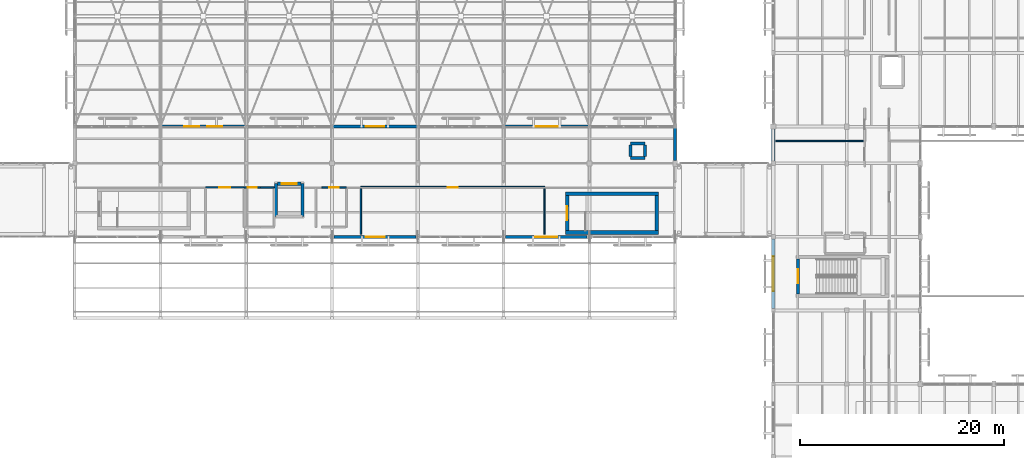
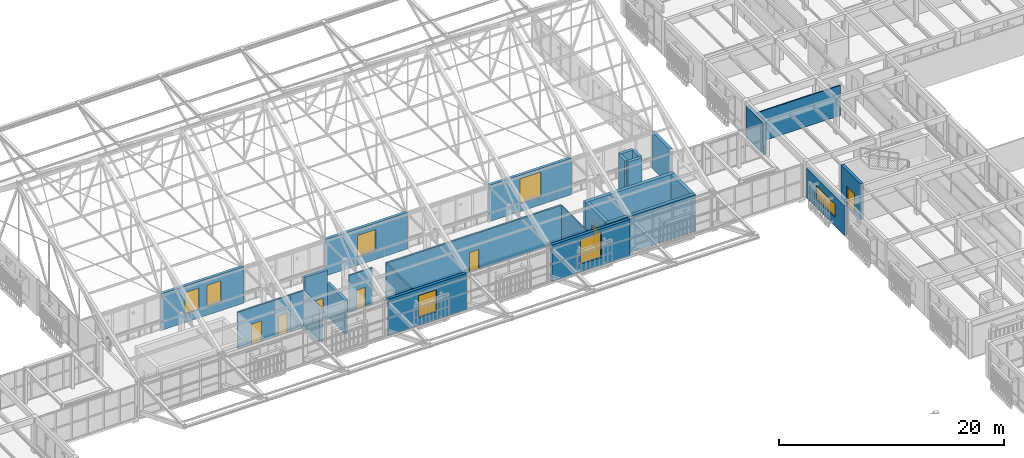
# One storey, part 182 of 217: 28 walls, 7 doors, 7 windows, 14 openings.
"""IFC4 building model written with IfcOpenShell, lengths in metres."""

from ifc_helpers import new_model, si_unit, direction, frame, frame_2d, origin, place, context, subcontext, project, spatial, rectangle, extrude, material, layer, layer_set, type_object, element, fill, save


model = new_model("IFC4")

# Units and contexts
model_context = context("Model", 3, precision=1e-05, world=origin(), true_north=direction((0.0, 1.0)))
body_context = subcontext(model_context, "Body", "Model", "MODEL_VIEW")
ifc_project = project(units=[si_unit("LENGTHUNIT", "METRE"), si_unit("AREAUNIT", "SQUARE_METRE"), si_unit("VOLUMEUNIT", "CUBIC_METRE"), si_unit("PLANEANGLEUNIT", "RADIAN"), si_unit("MASSUNIT", "GRAM", prefix="KILO")], contexts=[model_context])

# Site, building, storey
site_placement = place(None, origin())
site = spatial("IfcSite", under=ifc_project, at=site_placement, CompositionType="ELEMENT")
building_placement = place(site_placement, origin())
building = spatial("IfcBuilding", under=site, at=building_placement, Name="Mazaris Harbour Polytechnic", CompositionType="ELEMENT")
storey_placement = place(building_placement, frame((0.0, 0.0, 9.60009765625)))
storey = spatial("IfcBuildingStorey", under=building, at=storey_placement, Name="L02", CompositionType="ELEMENT", Elevation=9.60009765625)

# Walls
ifc_material_1 = material(Name="Gypsum Board and Mineral Wool")
ifc_layer_1 = layer(ifc_material_1, 0.1201171875, Name="Gypsum Board and Mineral Wool")
ifc_layer_set_1 = layer_set([ifc_layer_1], Name="Gypsum Board and Mineral Wool")
wall_type_1 = type_object("IfcWallType", Name="Acoustic Stud Partition 120", PredefinedType="PARTITIONING", material=ifc_layer_set_1)
wall_1_placement = place(storey_placement, frame((100.010986328125, 75.85009765625, 0.0), z_axis=(0.0, 0.0, 1.0), x_axis=(0.0, 1.0, 0.0)))
element("IfcWall", 1, at=wall_1_placement, inside=storey, type_object=wall_type_1, Name="V1 L02 Partition 70", PredefinedType="PARTITIONING", context=body_context, shape_type="SweptSolid", body=[
    extrude(rectangle(XDim=4.47998046875, YDim=0.1201171875, at=frame_2d((2.239990234375, 0.0))), origin(), (0.0, 0.0, 1.0), 3.9599609375),
])
wall_2_placement = place(storey_placement, frame((122.64990234375, 84.97509765625, 0.0), z_axis=(0.0, 0.0, 1.0), x_axis=(1.0, 0.0, 0.0)))
element("IfcWall", 2, at=wall_2_placement, inside=storey, type_object=wall_type_1, Name="V5 L02 Partition 606", PredefinedType="PARTITIONING", context=body_context, shape_type="SweptSolid", body=[
    extrude(rectangle(XDim=8.580078125, YDim=0.1201171875, at=frame_2d((4.2900390625, 0.0))), origin(), (0.0, 0.0, 1.0), 3.27978515625),
])
ifc_material_2 = material(Name="Double Gypsum and Mineral Wool")
ifc_layer_2 = layer(ifc_material_2, 0.14990234375, Name="Double Gypsum and Mineral Wool")
ifc_layer_set_2 = layer_set([ifc_layer_2], Name="Double Gypsum and Mineral Wool")
wall_type_2 = type_object("IfcWallType", Name="Classroom Acoustic Partition 150", PredefinedType="PARTITIONING", material=ifc_layer_set_2)
wall_3_placement = place(storey_placement, frame((82.02587890625, 75.85009765625, 0.0), z_axis=(0.0, 0.0, 1.0), x_axis=(0.0, 1.0, 0.0)))
element("IfcWall", 3, at=wall_3_placement, inside=storey, type_object=wall_type_2, Name="V1 L02 Partition 69", PredefinedType="PARTITIONING", context=body_context, shape_type="SweptSolid", body=[
    extrude(rectangle(XDim=4.47998046875, YDim=0.14990234375, at=frame_2d((2.239990234375, 0.0))), origin(), (0.0, 0.0, 1.0), 3.9599609375),
])

# Wall, opening, door
ifc_material_3 = material(Name="Terracotta Block and Plaster", Category="masonry")
ifc_layer_3 = layer(ifc_material_3, 0.179931640625, Name="Terracotta Block and Plaster")
ifc_layer_set_3 = layer_set([ifc_layer_3], Name="Terracotta Block and Plaster")
wall_type_3 = type_object("IfcWallType", Name="Corridor Fire Partition 180", PredefinedType="PARTITIONING", material=ifc_layer_set_3)
wall_4_placement = place(storey_placement, frame((82.02587890625, 80.449951171875, 0.0), z_axis=(0.0, 0.0, 1.0), x_axis=(1.0, 0.0, 0.0)))
wall_4 = element("IfcWall", 4, at=wall_4_placement, inside=storey, type_object=wall_type_3, Name="V1 L02 Partition 68", PredefinedType="PARTITIONING", context=body_context, shape_type="SweptSolid", body=[
    extrude(rectangle(XDim=17.985107421875, YDim=0.179931640625, at=frame_2d((8.99267578125, 0.0))), origin(), (0.0, 0.0, 1.0), 3.9599609375),
])
opening_1_placement = place(wall_4_placement, frame((8.512451171875, 0.0, 0.0)))
opening_1 = element("IfcOpeningElement", 5, at=opening_1_placement, cuts=wall_4, Name="Opening ID-01R", PredefinedType="OPENING", context=body_context, shape_type="SweptSolid", body=[
    extrude(rectangle(XDim=0.9599609375, YDim=2.14990234375, at=frame_2d((0.47998046875, 1.074951171875))), frame((0.0, 0.099853515625, 0.0), z_axis=(0.0, -1.0, 0.0), x_axis=(1.0, 0.0, 0.0)), (0.0, 0.0, 1.0), 0.199951171875),
])
ifc_material_4 = material(Name="Solid Oak Timber", Category="wood")
door_type_1 = type_object("IfcDoorType", Name="Classroom Single Door RH 960x2150", OperationType="SINGLE_SWING_RIGHT", PredefinedType="DOOR", material=ifc_material_4)
door_1_placement = place(opening_1_placement, origin())
door_1 = element("IfcDoor", 6, at=door_1_placement, inside=storey, type_object=door_type_1, Name="ID-0031", OperationType="SINGLE_SWING_RIGHT", OverallHeight=2.14990234375, OverallWidth=0.9599609375, PredefinedType="DOOR", context=body_context, shape_type="SweptSolid", body=[
    extrude(rectangle(XDim=0.9599609375, YDim=2.14990234375, at=frame_2d((0.47998046875, 1.074951171875))), frame((0.0, 0.02490234375, 0.0), z_axis=(0.0, -1.0, 0.0), x_axis=(1.0, 0.0, 0.0)), (0.0, 0.0, 1.0), 0.050048828125),
])
fill(opening_1, door_1)

ifc_material_5 = material(Name="Fireboard and Mineral Wool")
ifc_layer_4 = layer(ifc_material_5, 0.1650390625, Name="Fireboard and Mineral Wool")
ifc_layer_set_4 = layer_set([ifc_layer_4], Name="Fireboard and Mineral Wool")
wall_type_4 = type_object("IfcWallType", Name="Laboratory Rated Partition 165", PredefinedType="PARTITIONING", material=ifc_layer_set_4)
wall_5_placement = place(storey_placement, frame((66.7890625, 80.449951171875, 0.0), z_axis=(0.0, 0.0, 1.0), x_axis=(1.0, 0.0, 0.0)))
wall_5 = element("IfcWall", 7, at=wall_5_placement, inside=storey, type_object=wall_type_4, Name="V1 L02 Partition 65", PredefinedType="PARTITIONING", context=body_context, shape_type="SweptSolid", body=[
    extrude(rectangle(XDim=3.805908203125, YDim=0.1650390625, at=frame_2d((1.90283203125, 0.0))), origin(), (0.0, 0.0, 1.0), 3.9599609375),
])
opening_2_placement = place(wall_5_placement, frame((1.3779296875, 0.0, 0.0)))
opening_2 = element("IfcOpeningElement", 8, at=opening_2_placement, cuts=wall_5, Name="Opening ID-02L", PredefinedType="OPENING", context=body_context, shape_type="SweptSolid", body=[
    extrude(rectangle(XDim=1.050048828125, YDim=2.199951171875, at=frame_2d((0.52490234375, 1.10009765625))), frame((0.0, 0.092529296875, 0.0), z_axis=(0.0, -1.0, 0.0), x_axis=(1.0, 0.0, 0.0)), (0.0, 0.0, 1.0), 0.18505859375),
])
ifc_material_6 = material(Name="Solid Timber and Vision Panel", Category="wood")
door_type_2 = type_object("IfcDoorType", Name="Laboratory Fire Door LH 1050x2200", OperationType="SINGLE_SWING_LEFT", PredefinedType="DOOR", material=ifc_material_6)
door_2_placement = place(opening_2_placement, origin())
door_2 = element("IfcDoor", 9, at=door_2_placement, inside=storey, type_object=door_type_2, Name="ID-0030", OperationType="SINGLE_SWING_LEFT", OverallHeight=2.199951171875, OverallWidth=1.050048828125, PredefinedType="DOOR", context=body_context, shape_type="SweptSolid", body=[
    extrude(rectangle(XDim=1.050048828125, YDim=2.199951171875, at=frame_2d((0.52490234375, 1.10009765625))), frame((0.0, 0.02490234375, 0.0), z_axis=(0.0, -1.0, 0.0), x_axis=(1.0, 0.0, 0.0)), (0.0, 0.0, 1.0), 0.050048828125),
])
fill(opening_2, door_2)

# Wall, opening, window
ifc_material_7 = material(Name="Algerian Buff Limestone and Mineral Wool", Category="masonry")
ifc_layer_5 = layer(ifc_material_7, 0.31005859375, Name="Algerian Buff Limestone and Mineral Wool")
ifc_layer_set_5 = layer_set([ifc_layer_5], Name="Algerian Buff Limestone and Mineral Wool")
wall_type_5 = type_object("IfcWallType", Name="Limestone Studio Wall 310", PredefinedType="STANDARD", material=ifc_layer_set_5)
wall_6_placement = place(storey_placement, frame((122.39990234375, 68.58203125, 0.0), z_axis=(0.0, 0.0, 1.0), x_axis=(0.0, 1.0, 0.0)))
wall_6 = element("IfcWall", 10, at=wall_6_placement, inside=storey, type_object=wall_type_5, Name="V5 L02 Exterior Wall 343", PredefinedType="STANDARD", context=body_context, shape_type="SweptSolid", body=[
    extrude(rectangle(XDim=6.81591796875, YDim=0.31005859375, at=frame_2d((3.407958984375, 0.0))), origin(), (0.0, 0.0, 1.0), 3.239990234375),
])
opening_3_placement = place(wall_6_placement, frame((1.7080078125, 0.0, 0.89990234375)))
opening_3 = element("IfcOpeningElement", 11, at=opening_3_placement, cuts=wall_6, Name="Opening WN-16", PredefinedType="OPENING", context=body_context, shape_type="SweptSolid", body=[
    extrude(rectangle(XDim=3.39990234375, YDim=1.5, at=frame_2d((1.699951171875, 0.75))), frame((0.0, 0.1650390625, 0.0), z_axis=(0.0, -1.0, 0.0), x_axis=(1.0, 0.0, 0.0)), (0.0, 0.0, 1.0), 0.330078125),
])
ifc_material_8 = material(Name="Thermally Broken Bronze Aluminium and Low-E Glass", Category="aluminium")
window_type_1 = type_object("IfcWindowType", Name="Workshop Clerestory Ribbon 3400x1500", PartitioningType="DOUBLE_PANEL_VERTICAL", PredefinedType="WINDOW", material=ifc_material_8)
window_1_placement = place(opening_3_placement, origin())
window_1 = element("IfcWindow", 12, at=window_1_placement, inside=storey, type_object=window_type_1, Name="WN-0395", OverallHeight=1.5, OverallWidth=3.39990234375, PartitioningType="DOUBLE_PANEL_VERTICAL", PredefinedType="WINDOW", context=body_context, shape_type="SweptSolid", body=[
    extrude(rectangle(XDim=3.39990234375, YDim=1.5, at=frame_2d((1.699951171875, 0.75))), frame((0.0, 0.030029296875, 0.0), z_axis=(0.0, -1.0, 0.0), x_axis=(1.0, 0.0, 0.0)), (0.0, 0.0, 1.0), 0.06005859375),
])
fill(opening_3, window_1)

# Wall
wall_7_placement = place(storey_placement, frame((122.39990234375, 83.02197265625, 0.0), z_axis=(0.0, 0.0, 1.0), x_axis=(0.0, 1.0, 0.0)))
element("IfcWall", 13, at=wall_7_placement, inside=storey, type_object=wall_type_5, Name="V5 L02 Exterior Wall 344", PredefinedType="STANDARD", context=body_context, shape_type="SweptSolid", body=[
    extrude(rectangle(XDim=3.135986328125, YDim=0.31005859375, at=frame_2d((1.56787109375, 0.0))), origin(), (0.0, 0.0, 1.0), 3.39990234375),
])

# Wall, opening, door
ifc_material_9 = material(Name="Concrete C40/50", Category="concrete")
ifc_layer_6 = layer(ifc_material_9, 0.324951171875, Name="Concrete C40/50")
ifc_layer_set_6 = layer_set([ifc_layer_6], Name="Concrete C40/50")
wall_type_6 = type_object("IfcWallType", Name="RC Core Shear Wall 325", PredefinedType="SHEAR", material=ifc_layer_set_6)
wall_8_placement = place(storey_placement, frame((124.824951171875, 73.449951171875, 0.0), z_axis=(0.0, 0.0, 1.0), x_axis=(0.0, -1.0, 0.0)))
wall_8 = element("IfcWall", 14, at=wall_8_placement, inside=storey, type_object=wall_type_6, Name="Core ST09 L02 Entrance Shear Wall", PredefinedType="SHEAR", context=body_context, shape_type="SweptSolid", body=[
    extrude(rectangle(XDim=3.449951171875, YDim=0.324951171875, at=frame_2d((1.72509765625, 0.0))), origin(), (0.0, 0.0, 1.0), 3.919921875),
])
opening_4_placement = place(wall_8_placement, frame((1.034912109375, 0.0, 0.0)))
opening_4 = element("IfcOpeningElement", 15, at=opening_4_placement, cuts=wall_8, Name="Opening SD-01", PredefinedType="OPENING", context=body_context, shape_type="SweptSolid", body=[
    extrude(rectangle(XDim=1.3798828125, YDim=2.199951171875, at=frame_2d((0.68994140625, 1.10009765625))), frame((0.0, 0.17236328125, 0.0), z_axis=(0.0, -1.0, 0.0), x_axis=(1.0, 0.0, 0.0)), (0.0, 0.0, 1.0), 0.344970703125),
])
ifc_material_10 = material(Name="Glulam Timber and Fire Glass", Category="wood")
door_type_3 = type_object("IfcDoorType", Name="Protected Stair Lobby Fire Door 1380x2200", OperationType="DOUBLE_DOOR_SINGLE_SWING", PredefinedType="DOOR", material=ifc_material_10)
door_3_placement = place(opening_4_placement, origin())
door_3 = element("IfcDoor", 16, at=door_3_placement, inside=storey, type_object=door_type_3, Name="SD-045", OperationType="DOUBLE_DOOR_SINGLE_SWING", OverallHeight=2.199951171875, OverallWidth=1.3798828125, PredefinedType="DOOR", context=body_context, shape_type="SweptSolid", body=[
    extrude(rectangle(XDim=1.3798828125, YDim=2.199951171875, at=frame_2d((0.68994140625, 1.10009765625))), frame((0.0, 0.02490234375, 0.0), z_axis=(0.0, -1.0, 0.0), x_axis=(1.0, 0.0, 0.0)), (0.0, 0.0, 1.0), 0.050048828125),
])
fill(opening_4, door_3)

# Walls
ifc_material_11 = material(Name="Concrete C40/50", Category="concrete")
ifc_layer_7 = layer(ifc_material_11, 0.35009765625, Name="Concrete C40/50")
ifc_layer_set_7 = layer_set([ifc_layer_7], Name="Concrete C40/50")
wall_type_7 = type_object("IfcWallType", Name="RC Core Shear Wall 350", PredefinedType="SHEAR", material=ifc_layer_set_7)
for number, where, z_axis, x_axis, name in (
    (17, (102.050048828125, 76.02490234375, 0.0), (0.0, 0.0, 1.0), (1.0, 0.0, 0.0), "Core ST02 L02 Shear Wall S"),
    (18, (111.14990234375, 79.824951171875, 0.0), (0.0, 0.0, 1.0), (-1.0, 0.0, 0.0), "Core ST02 L02 Shear Wall N"),
):
    element("IfcWall", number, at=place(storey_placement, frame(where, z_axis=z_axis, x_axis=x_axis)), inside=storey, type_object=wall_type_7, Name=name, PredefinedType="SHEAR", context=body_context, shape_type="SweptSolid", body=[
        extrude(rectangle(XDim=9.099853515625, YDim=0.35009765625, at=frame_2d((4.5498046875, 0.0))), origin(), (0.0, 0.0, 1.0), 3.9599609375),
    ])
wall_9_placement = place(storey_placement, frame((110.97509765625, 76.199951171875, 0.0), z_axis=(0.0, 0.0, 1.0), x_axis=(0.0, 1.0, 0.0)))
element("IfcWall", 19, at=wall_9_placement, inside=storey, type_object=wall_type_7, Name="Core ST02 L02 Shear Wall E", PredefinedType="SHEAR", context=body_context, shape_type="SweptSolid", body=[
    extrude(rectangle(XDim=3.449951171875, YDim=0.35009765625, at=frame_2d((1.72509765625, 0.0))), origin(), (0.0, 0.0, 1.0), 3.9599609375),
])

# Wall, opening, door
wall_10_placement = place(storey_placement, frame((102.22509765625, 79.64990234375, 0.0), z_axis=(0.0, 0.0, 1.0), x_axis=(0.0, -1.0, 0.0)))
wall_10 = element("IfcWall", 20, at=wall_10_placement, inside=storey, type_object=wall_type_7, Name="Core ST02 L02 Entrance Shear Wall", PredefinedType="SHEAR", context=body_context, shape_type="SweptSolid", body=[
    extrude(rectangle(XDim=3.449951171875, YDim=0.35009765625, at=frame_2d((1.72509765625, 0.0))), origin(), (0.0, 0.0, 1.0), 3.9599609375),
])
opening_5_placement = place(wall_10_placement, frame((1.034912109375, 0.0, 0.0)))
opening_5 = element("IfcOpeningElement", 21, at=opening_5_placement, cuts=wall_10, Name="Opening SD-01", PredefinedType="OPENING", context=body_context, shape_type="SweptSolid", body=[
    extrude(rectangle(XDim=1.3798828125, YDim=2.199951171875, at=frame_2d((0.68994140625, 1.10009765625))), frame((0.0, 0.18505859375, 0.0), z_axis=(0.0, -1.0, 0.0), x_axis=(1.0, 0.0, 0.0)), (0.0, 0.0, 1.0), 0.3701171875),
])
door_4_placement = place(opening_5_placement, origin())
door_4 = element("IfcDoor", 22, at=door_4_placement, inside=storey, type_object=door_type_3, Name="SD-008", OperationType="DOUBLE_DOOR_SINGLE_SWING", OverallHeight=2.199951171875, OverallWidth=1.3798828125, PredefinedType="DOOR", context=body_context, shape_type="SweptSolid", body=[
    extrude(rectangle(XDim=1.3798828125, YDim=2.199951171875, at=frame_2d((0.68994140625, 1.10009765625))), frame((0.0, 0.02490234375, 0.0), z_axis=(0.0, -1.0, 0.0), x_axis=(1.0, 0.0, 0.0)), (0.0, 0.0, 1.0), 0.050048828125),
])
fill(opening_5, door_4)

# Walls
ifc_material_12 = material(Name="Concrete C40/50", Category="concrete")
ifc_layer_8 = layer(ifc_material_12, 0.300048828125, Name="Concrete C40/50")
ifc_layer_set_8 = layer_set([ifc_layer_8], Name="Concrete C40/50")
wall_type_8 = type_object("IfcWallType", Name="RC Lift Shaft Wall 300", PredefinedType="SHEAR", material=ifc_layer_set_8)
wall_11_placement = place(storey_placement, frame((108.429931640625, 83.330078125, 0.0), z_axis=(0.0, 0.0, 1.0), x_axis=(1.0, 0.0, 0.0)))
element("IfcWall", 23, at=wall_11_placement, inside=storey, type_object=wall_type_8, Name="V1 L02 Riser Enclosure Wall 1-1", PredefinedType="SHEAR", context=body_context, shape_type="SweptSolid", body=[
    extrude(rectangle(XDim=1.420166015625, YDim=0.300048828125, at=frame_2d((0.7099609375, 0.0))), origin(), (0.0, 0.0, 1.0), 3.9599609375),
])
wall_12_placement = place(storey_placement, frame((109.85009765625, 83.489990234375, 0.0), z_axis=(0.0, 0.0, 1.0), x_axis=(0.0, 1.0, 0.0)))
element("IfcWall", 24, at=wall_12_placement, inside=storey, type_object=wall_type_8, Name="V1 L02 Riser Enclosure Wall 1-2", PredefinedType="SHEAR", context=body_context, shape_type="SweptSolid", body=[
    extrude(rectangle(XDim=1.10009765625, YDim=0.300048828125, at=frame_2d((0.550048828125, 0.0))), origin(), (0.0, 0.0, 1.0), 3.9599609375),
])
wall_13_placement = place(storey_placement, frame((109.85009765625, 84.75, 0.0), z_axis=(0.0, 0.0, 1.0), x_axis=(-1.0, 0.0, 0.0)))
element("IfcWall", 25, at=wall_13_placement, inside=storey, type_object=wall_type_8, Name="V1 L02 Riser Enclosure Wall 1-3", PredefinedType="SHEAR", context=body_context, shape_type="SweptSolid", body=[
    extrude(rectangle(XDim=1.420166015625, YDim=0.300048828125, at=frame_2d((0.7099609375, 0.0))), origin(), (0.0, 0.0, 1.0), 3.9599609375),
])
wall_14_placement = place(storey_placement, frame((108.429931640625, 84.590087890625, 0.0), z_axis=(0.0, 0.0, 1.0), x_axis=(0.0, -1.0, 0.0)))
element("IfcWall", 26, at=wall_14_placement, inside=storey, type_object=wall_type_8, Name="V1 L02 Riser Enclosure Wall 1-4", PredefinedType="SHEAR", context=body_context, shape_type="SweptSolid", body=[
    extrude(rectangle(XDim=1.10009765625, YDim=0.300048828125, at=frame_2d((0.550048828125, 0.0))), origin(), (0.0, 0.0, 1.0), 3.9599609375),
])
for number, where, z_axis, x_axis, name in (
    (27, (73.699951171875, 80.800048828125, 0.0), (0.0, 0.0, 1.0), (0.0, -1.0, 0.0), "Lift LG-01 L02 West Shaft Wall"),
    (28, (76.300048828125, 77.60009765625, 0.0), (0.0, 0.0, 1.0), (0.0, 1.0, 0.0), "Lift LG-01 L02 East Shaft Wall"),
):
    element("IfcWall", number, at=place(storey_placement, frame(where, z_axis=z_axis, x_axis=x_axis)), inside=storey, type_object=wall_type_8, Name=name, PredefinedType="SHEAR", context=body_context, shape_type="SweptSolid", body=[
        extrude(rectangle(XDim=3.199951171875, YDim=0.300048828125, at=frame_2d((1.60009765625, 0.0))), origin(), (0.0, 0.0, 1.0), 3.639892578125),
    ])

# Wall, opening, door
wall_15_placement = place(storey_placement, frame((73.840087890625, 80.800048828125, 0.0), z_axis=(0.0, 0.0, 1.0), x_axis=(1.0, 0.0, 0.0)))
wall_15 = element("IfcWall", 29, at=wall_15_placement, inside=storey, type_object=wall_type_8, Name="Lift LG-01 L02 Front Shaft Wall", PredefinedType="SHEAR", context=body_context, shape_type="SweptSolid", body=[
    extrude(rectangle(XDim=2.31982421875, YDim=0.300048828125, at=frame_2d((1.159912109375, 0.0))), origin(), (0.0, 0.0, 1.0), 5.099853515625),
])
opening_6_placement = place(wall_15_placement, frame((0.409912109375, 0.0, 0.0)))
opening_6 = element("IfcOpeningElement", 30, at=opening_6_placement, cuts=wall_15, Name="Opening LD-03", PredefinedType="OPENING", context=body_context, shape_type="SweptSolid", body=[
    extrude(rectangle(XDim=1.5, YDim=2.199951171875, at=frame_2d((0.75, 1.10009765625))), frame((0.0, 0.159912109375, 0.0), z_axis=(0.0, -1.0, 0.0), x_axis=(1.0, 0.0, 0.0)), (0.0, 0.0, 1.0), 0.320068359375),
])
ifc_material_13 = material(Name="Stainless Steel S355", Category="steel")
door_type_4 = type_object("IfcDoorType", Name="Sliding Goods Lift Landing Door 1500x2200", OperationType="SLIDING_TO_LEFT", PredefinedType="DOOR", material=ifc_material_13)
door_5_placement = place(opening_6_placement, origin())
door_5 = element("IfcDoor", 31, at=door_5_placement, inside=storey, type_object=door_type_4, Name="LD-039", OperationType="SLIDING_TO_LEFT", OverallHeight=2.199951171875, OverallWidth=1.5, PredefinedType="DOOR", context=body_context, shape_type="SweptSolid", body=[
    extrude(rectangle(XDim=1.5, YDim=2.199951171875, at=frame_2d((0.75, 1.10009765625))), frame((0.0, 0.02490234375, 0.0), z_axis=(0.0, -1.0, 0.0), x_axis=(1.0, 0.0, 0.0)), (0.0, 0.0, 1.0), 0.050048828125),
])
fill(opening_6, door_5)

ifc_material_14 = material(Name="Moisture-Resistant Gypsum and Steel Stud", Category="steel")
ifc_layer_9 = layer(ifc_material_14, 0.14501953125, Name="Moisture-Resistant Gypsum and Steel Stud")
ifc_layer_set_9 = layer_set([ifc_layer_9], Name="Moisture-Resistant Gypsum and Steel Stud")
wall_type_9 = type_object("IfcWallType", Name="Sanitary Plumbing Wall 145", PredefinedType="PLUMBINGWALL", material=ifc_layer_set_9)
wall_16_placement = place(storey_placement, frame((70.60009765625, 80.449951171875, 0.0), z_axis=(0.0, 0.0, 1.0), x_axis=(1.0, 0.0, 0.0)))
wall_16 = element("IfcWall", 32, at=wall_16_placement, inside=storey, type_object=wall_type_9, Name="V1 L02 Partition 59", PredefinedType="PLUMBINGWALL", context=body_context, shape_type="SweptSolid", body=[
    extrude(rectangle(XDim=1.594970703125, YDim=0.14501953125, at=frame_2d((0.79736328125, 0.0))), origin(), (0.0, 0.0, 1.0), 3.9599609375),
])
opening_7_placement = place(wall_16_placement, frame((0.347412109375, 0.0, 0.0)))
opening_7 = element("IfcOpeningElement", 33, at=opening_7_placement, cuts=wall_16, Name="Opening ID-07R", PredefinedType="OPENING", context=body_context, shape_type="SweptSolid", body=[
    extrude(rectangle(XDim=0.89990234375, YDim=2.10009765625, at=frame_2d((0.449951171875, 1.050048828125))), frame((0.0, 0.08251953125, 0.0), z_axis=(0.0, -1.0, 0.0), x_axis=(1.0, 0.0, 0.0)), (0.0, 0.0, 1.0), 0.1650390625),
])
ifc_material_15 = material(Name="Moisture-Resistant Laminate Timber", Category="wood")
door_type_5 = type_object("IfcDoorType", Name="Sanitary Room Door RH 900x2100", OperationType="SINGLE_SWING_RIGHT", PredefinedType="DOOR", material=ifc_material_15)
door_6_placement = place(opening_7_placement, origin())
door_6 = element("IfcDoor", 34, at=door_6_placement, inside=storey, type_object=door_type_5, Name="ID-0028", OperationType="SINGLE_SWING_RIGHT", OverallHeight=2.10009765625, OverallWidth=0.89990234375, PredefinedType="DOOR", context=body_context, shape_type="SweptSolid", body=[
    extrude(rectangle(XDim=0.89990234375, YDim=2.10009765625, at=frame_2d((0.449951171875, 1.050048828125))), frame((0.0, 0.02490234375, 0.0), z_axis=(0.0, -1.0, 0.0), x_axis=(1.0, 0.0, 0.0)), (0.0, 0.0, 1.0), 0.050048828125),
])
fill(opening_7, door_6)

wall_17_placement = place(storey_placement, frame((78.205078125, 80.449951171875, 0.0), z_axis=(0.0, 0.0, 1.0), x_axis=(1.0, 0.0, 0.0)))
wall_17 = element("IfcWall", 35, at=wall_17_placement, inside=storey, type_object=wall_type_9, Name="V1 L02 Partition 62", PredefinedType="PLUMBINGWALL", context=body_context, shape_type="SweptSolid", body=[
    extrude(rectangle(XDim=2.39501953125, YDim=0.14501953125, at=frame_2d((1.197509765625, 0.0))), origin(), (0.0, 0.0, 1.0), 3.9599609375),
])
opening_8_placement = place(wall_17_placement, frame((0.737548828125, 0.0, 0.0)))
opening_8 = element("IfcOpeningElement", 36, at=opening_8_placement, cuts=wall_17, Name="Opening ID-07L", PredefinedType="OPENING", context=body_context, shape_type="SweptSolid", body=[
    extrude(rectangle(XDim=0.919921875, YDim=2.10009765625, at=frame_2d((0.4599609375, 1.050048828125))), frame((0.0, 0.08251953125, 0.0), z_axis=(0.0, -1.0, 0.0), x_axis=(1.0, 0.0, 0.0)), (0.0, 0.0, 1.0), 0.1650390625),
])
ifc_material_16 = material(Name="Moisture-Resistant Laminate Timber", Category="wood")
door_type_6 = type_object("IfcDoorType", Name="Accessible Toilet Door LH 920x2100", OperationType="SINGLE_SWING_LEFT", PredefinedType="DOOR", material=ifc_material_16)
door_7_placement = place(opening_8_placement, origin())
door_7 = element("IfcDoor", 37, at=door_7_placement, inside=storey, type_object=door_type_6, Name="ID-0029", OperationType="SINGLE_SWING_LEFT", OverallHeight=2.10009765625, OverallWidth=0.919921875, PredefinedType="DOOR", context=body_context, shape_type="SweptSolid", body=[
    extrude(rectangle(XDim=0.919921875, YDim=2.10009765625, at=frame_2d((0.4599609375, 1.050048828125))), frame((0.0, 0.02490234375, 0.0), z_axis=(0.0, -1.0, 0.0), x_axis=(1.0, 0.0, 0.0)), (0.0, 0.0, 1.0), 0.050048828125),
])
fill(opening_8, door_7)

# Wall
wall_18_placement = place(storey_placement, frame((72.195068359375, 80.445068359375, 0.0), z_axis=(0.0, 0.0, 1.0), x_axis=(1.0, 0.0, 0.0)))
element("IfcWall", 38, at=wall_18_placement, inside=storey, type_object=wall_type_9, Name="V1 L02 Sanitary Partition 701", PredefinedType="PLUMBINGWALL", context=body_context, shape_type="SweptSolid", body=[
    extrude(rectangle(XDim=1.329833984375, YDim=0.14501953125, at=frame_2d((0.6650390625, 0.0))), origin(), (0.0, 0.0, 1.0), 3.9599609375),
])

# Wall, opening, window
ifc_material_17 = material(Name="Terracotta Masonry and Concrete C30/37", Category="masonry")
ifc_layer_10 = layer(ifc_material_17, 0.2900390625, Name="Terracotta Masonry and Concrete C30/37")
ifc_layer_set_10 = layer_set([ifc_layer_10], Name="Terracotta Masonry and Concrete C30/37")
wall_type_10 = type_object("IfcWallType", Name="Workshop Insulated Wall 290", PredefinedType="STANDARD", material=ifc_layer_set_10)
wall_19_placement = place(storey_placement, frame((87.427978515625, 75.60009765625, 0.0), z_axis=(0.0, 0.0, 1.0), x_axis=(-1.0, 0.0, 0.0)))
wall_19 = element("IfcWall", 39, at=wall_19_placement, inside=storey, type_object=wall_type_10, Name="V1 L02 Exterior Wall 26", PredefinedType="STANDARD", context=body_context, shape_type="SweptSolid", body=[
    extrude(rectangle(XDim=8.02587890625, YDim=0.2900390625, at=frame_2d((4.012939453125, 0.0))), origin(), (0.0, 0.0, 1.0), 3.9599609375),
])
opening_9_placement = place(wall_19_placement, frame((3.087890625, 0.0, 0.89990234375)))
opening_9 = element("IfcOpeningElement", 40, at=opening_9_placement, cuts=wall_19, Name="Opening WN-21", PredefinedType="OPENING", context=body_context, shape_type="SweptSolid", body=[
    extrude(rectangle(XDim=1.85009765625, YDim=2.35009765625, at=frame_2d((0.925048828125, 1.175048828125))), frame((0.0, 0.155029296875, 0.0), z_axis=(0.0, -1.0, 0.0), x_axis=(1.0, 0.0, 0.0)), (0.0, 0.0, 1.0), 0.31005859375),
])
ifc_material_18 = material(Name="Thermally Broken Bronze Aluminium and Low-E Glass", Category="aluminium")
window_type_2 = type_object("IfcWindowType", Name="Courtyard Gallery Window 1850x2350", PartitioningType="DOUBLE_PANEL_VERTICAL", PredefinedType="WINDOW", material=ifc_material_18)
window_2_placement = place(opening_9_placement, origin())
window_2 = element("IfcWindow", 41, at=window_2_placement, inside=storey, type_object=window_type_2, Name="WN-0015", OverallHeight=2.35009765625, OverallWidth=1.85009765625, PartitioningType="DOUBLE_PANEL_VERTICAL", PredefinedType="WINDOW", context=body_context, shape_type="SweptSolid", body=[
    extrude(rectangle(XDim=1.85009765625, YDim=2.35009765625, at=frame_2d((0.925048828125, 1.175048828125))), frame((0.0, 0.030029296875, 0.0), z_axis=(0.0, -1.0, 0.0), x_axis=(1.0, 0.0, 0.0)), (0.0, 0.0, 1.0), 0.06005859375),
])
fill(opening_9, window_2)

wall_20_placement = place(storey_placement, frame((104.177978515625, 75.60009765625, 0.0), z_axis=(0.0, 0.0, 1.0), x_axis=(-1.0, 0.0, 0.0)))
wall_20 = element("IfcWall", 42, at=wall_20_placement, inside=storey, type_object=wall_type_10, Name="V1 L02 Exterior Wall 27", PredefinedType="STANDARD", context=body_context, shape_type="SweptSolid", body=[
    extrude(rectangle(XDim=8.015869140625, YDim=0.2900390625, at=frame_2d((4.0078125, 0.0))), origin(), (0.0, 0.0, 1.0), 3.9599609375),
])
opening_10_placement = place(wall_20_placement, frame((2.93310546875, 0.0, 0.85009765625)))
opening_10 = element("IfcOpeningElement", 43, at=opening_10_placement, cuts=wall_20, Name="Opening WN-23", PredefinedType="OPENING", context=body_context, shape_type="SweptSolid", body=[
    extrude(rectangle(XDim=2.14990234375, YDim=2.699951171875, at=frame_2d((1.074951171875, 1.35009765625))), frame((0.0, 0.155029296875, 0.0), z_axis=(0.0, -1.0, 0.0), x_axis=(1.0, 0.0, 0.0)), (0.0, 0.0, 1.0), 0.31005859375),
])
ifc_material_19 = material(Name="Thermally Broken Bronze Aluminium and Low-E Glass", Category="aluminium")
window_type_3 = type_object("IfcWindowType", Name="Harbour Promenade Window 2150x2700", PartitioningType="DOUBLE_PANEL_VERTICAL", PredefinedType="WINDOW", material=ifc_material_19)
window_3_placement = place(opening_10_placement, origin())
window_3 = element("IfcWindow", 44, at=window_3_placement, inside=storey, type_object=window_type_3, Name="WN-0016", OverallHeight=2.699951171875, OverallWidth=2.14990234375, PartitioningType="DOUBLE_PANEL_VERTICAL", PredefinedType="WINDOW", context=body_context, shape_type="SweptSolid", body=[
    extrude(rectangle(XDim=2.14990234375, YDim=2.699951171875, at=frame_2d((1.074951171875, 1.35009765625))), frame((0.0, 0.030029296875, 0.0), z_axis=(0.0, -1.0, 0.0), x_axis=(1.0, 0.0, 0.0)), (0.0, 0.0, 1.0), 0.06005859375),
])
fill(opening_10, window_3)

# Wall, openings, windows
wall_21_placement = place(storey_placement, frame((62.407958984375, 86.39990234375, 0.0), z_axis=(0.0, 0.0, 1.0), x_axis=(1.0, 0.0, 0.0)))
wall_21 = element("IfcWall", 45, at=wall_21_placement, inside=storey, type_object=wall_type_10, Name="V1 L02 Exterior Wall 28", PredefinedType="STANDARD", context=body_context, shape_type="SweptSolid", body=[
    extrude(rectangle(XDim=8.384033203125, YDim=0.2900390625, at=frame_2d((4.19189453125, 0.0))), origin(), (0.0, 0.0, 1.0), 3.9599609375),
])
opening_11_placement = place(wall_21_placement, frame((2.342041015625, 0.0, 0.89990234375)))
opening_11 = element("IfcOpeningElement", 46, at=opening_11_placement, cuts=wall_21, Name="Opening WN-19", PredefinedType="OPENING", context=body_context, shape_type="SweptSolid", body=[
    extrude(rectangle(XDim=1.449951171875, YDim=2.35009765625, at=frame_2d((0.72509765625, 1.175048828125))), frame((0.0, 0.155029296875, 0.0), z_axis=(0.0, -1.0, 0.0), x_axis=(1.0, 0.0, 0.0)), (0.0, 0.0, 1.0), 0.31005859375),
])
opening_12_placement = place(wall_21_placement, frame((4.592041015625, 0.0, 0.89990234375)))
opening_12 = element("IfcOpeningElement", 47, at=opening_12_placement, cuts=wall_21, Name="Opening WN-19", PredefinedType="OPENING", context=body_context, shape_type="SweptSolid", body=[
    extrude(rectangle(XDim=1.449951171875, YDim=2.35009765625, at=frame_2d((0.72509765625, 1.175048828125))), frame((0.0, 0.155029296875, 0.0), z_axis=(0.0, -1.0, 0.0), x_axis=(1.0, 0.0, 0.0)), (0.0, 0.0, 1.0), 0.31005859375),
])
ifc_material_20 = material(Name="Thermally Broken Bronze Aluminium and Low-E Glass", Category="aluminium")
window_type_4 = type_object("IfcWindowType", Name="Courtyard Gallery Window 1450x2350", PartitioningType="DOUBLE_PANEL_VERTICAL", PredefinedType="WINDOW", material=ifc_material_20)
window_4_placement = place(opening_11_placement, origin())
window_4 = element("IfcWindow", 48, at=window_4_placement, inside=storey, type_object=window_type_4, Name="WN-0017", OverallHeight=2.35009765625, OverallWidth=1.449951171875, PartitioningType="DOUBLE_PANEL_VERTICAL", PredefinedType="WINDOW", context=body_context, shape_type="SweptSolid", body=[
    extrude(rectangle(XDim=1.449951171875, YDim=2.35009765625, at=frame_2d((0.72509765625, 1.175048828125))), frame((0.0, 0.030029296875, 0.0), z_axis=(0.0, -1.0, 0.0), x_axis=(1.0, 0.0, 0.0)), (0.0, 0.0, 1.0), 0.06005859375),
])
fill(opening_11, window_4)
window_5_placement = place(opening_12_placement, origin())
window_5 = element("IfcWindow", 49, at=window_5_placement, inside=storey, type_object=window_type_4, Name="WN-0018", OverallHeight=2.35009765625, OverallWidth=1.449951171875, PartitioningType="DOUBLE_PANEL_VERTICAL", PredefinedType="WINDOW", context=body_context, shape_type="SweptSolid", body=[
    extrude(rectangle(XDim=1.449951171875, YDim=2.35009765625, at=frame_2d((0.72509765625, 1.175048828125))), frame((0.0, 0.030029296875, 0.0), z_axis=(0.0, -1.0, 0.0), x_axis=(1.0, 0.0, 0.0)), (0.0, 0.0, 1.0), 0.06005859375),
])
fill(opening_12, window_5)

# Wall, opening, window
wall_22_placement = place(storey_placement, frame((79.2080078125, 86.39990234375, 0.0), z_axis=(0.0, 0.0, 1.0), x_axis=(1.0, 0.0, 0.0)))
wall_22 = element("IfcWall", 50, at=wall_22_placement, inside=storey, type_object=wall_type_10, Name="V1 L02 Exterior Wall 29", PredefinedType="STANDARD", context=body_context, shape_type="SweptSolid", body=[
    extrude(rectangle(XDim=8.384033203125, YDim=0.2900390625, at=frame_2d((4.19189453125, 0.0))), origin(), (0.0, 0.0, 1.0), 3.9599609375),
])
opening_13_placement = place(wall_22_placement, frame((3.26708984375, 0.0, 0.89990234375)))
opening_13 = element("IfcOpeningElement", 51, at=opening_13_placement, cuts=wall_22, Name="Opening WN-21", PredefinedType="OPENING", context=body_context, shape_type="SweptSolid", body=[
    extrude(rectangle(XDim=1.85009765625, YDim=2.35009765625, at=frame_2d((0.925048828125, 1.175048828125))), frame((0.0, 0.155029296875, 0.0), z_axis=(0.0, -1.0, 0.0), x_axis=(1.0, 0.0, 0.0)), (0.0, 0.0, 1.0), 0.31005859375),
])
window_6_placement = place(opening_13_placement, origin())
window_6 = element("IfcWindow", 52, at=window_6_placement, inside=storey, type_object=window_type_2, Name="WN-0019", OverallHeight=2.35009765625, OverallWidth=1.85009765625, PartitioningType="DOUBLE_PANEL_VERTICAL", PredefinedType="WINDOW", context=body_context, shape_type="SweptSolid", body=[
    extrude(rectangle(XDim=1.85009765625, YDim=2.35009765625, at=frame_2d((0.925048828125, 1.175048828125))), frame((0.0, 0.030029296875, 0.0), z_axis=(0.0, -1.0, 0.0), x_axis=(1.0, 0.0, 0.0)), (0.0, 0.0, 1.0), 0.06005859375),
])
fill(opening_13, window_6)

wall_23_placement = place(storey_placement, frame((96.008056640625, 86.39990234375, 0.0), z_axis=(0.0, 0.0, 1.0), x_axis=(1.0, 0.0, 0.0)))
wall_23 = element("IfcWall", 53, at=wall_23_placement, inside=storey, type_object=wall_type_10, Name="V1 L02 Exterior Wall 30", PredefinedType="STANDARD", context=body_context, shape_type="SweptSolid", body=[
    extrude(rectangle(XDim=8.384033203125, YDim=0.2900390625, at=frame_2d((4.19189453125, 0.0))), origin(), (0.0, 0.0, 1.0), 3.9599609375),
])
opening_14_placement = place(wall_23_placement, frame((3.116943359375, 0.0, 0.85009765625)))
opening_14 = element("IfcOpeningElement", 54, at=opening_14_placement, cuts=wall_23, Name="Opening WN-23", PredefinedType="OPENING", context=body_context, shape_type="SweptSolid", body=[
    extrude(rectangle(XDim=2.14990234375, YDim=2.699951171875, at=frame_2d((1.074951171875, 1.35009765625))), frame((0.0, 0.155029296875, 0.0), z_axis=(0.0, -1.0, 0.0), x_axis=(1.0, 0.0, 0.0)), (0.0, 0.0, 1.0), 0.31005859375),
])
window_7_placement = place(opening_14_placement, origin())
window_7 = element("IfcWindow", 55, at=window_7_placement, inside=storey, type_object=window_type_3, Name="WN-0020", OverallHeight=2.699951171875, OverallWidth=2.14990234375, PartitioningType="DOUBLE_PANEL_VERTICAL", PredefinedType="WINDOW", context=body_context, shape_type="SweptSolid", body=[
    extrude(rectangle(XDim=2.14990234375, YDim=2.699951171875, at=frame_2d((1.074951171875, 1.35009765625))), frame((0.0, 0.030029296875, 0.0), z_axis=(0.0, -1.0, 0.0), x_axis=(1.0, 0.0, 0.0)), (0.0, 0.0, 1.0), 0.06005859375),
])
fill(opening_14, window_7)

# Wall
wall_24_placement = place(storey_placement, frame((112.800048828125, 86.242919921875, 0.0), z_axis=(0.0, 0.0, 1.0), x_axis=(0.0, -1.0, 0.0)))
element("IfcWall", 56, at=wall_24_placement, inside=storey, type_object=wall_type_10, Name="V1 L02 Exterior Wall 33", PredefinedType="STANDARD", context=body_context, shape_type="SweptSolid", body=[
    extrude(rectangle(XDim=3.15087890625, YDim=0.2900390625, at=frame_2d((1.575439453125, 0.0))), origin(), (0.0, 0.0, 1.0), 3.9599609375),
])

save(model, "model.ifc")
